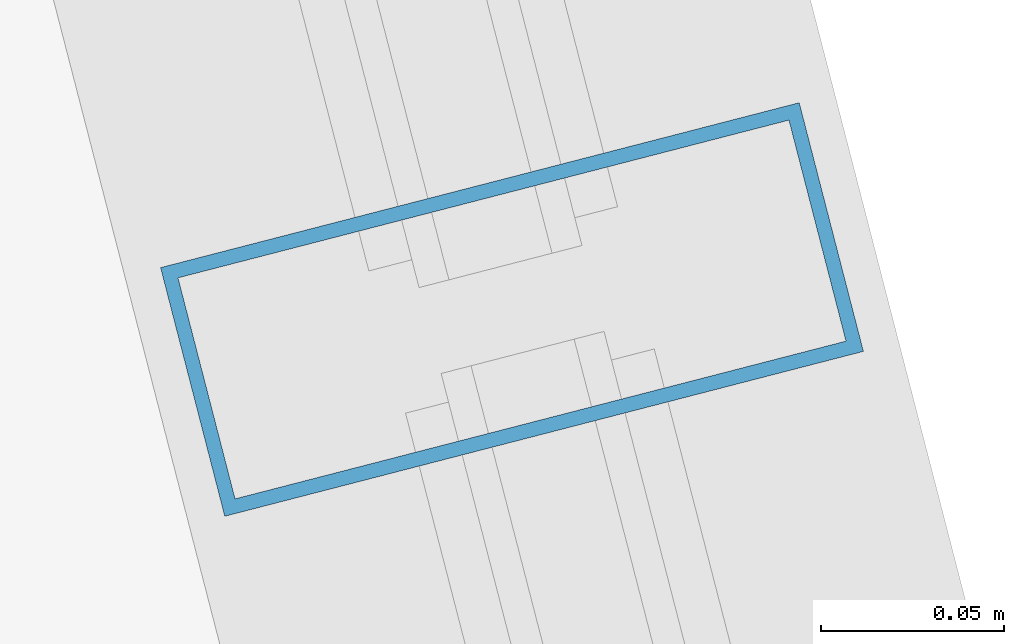
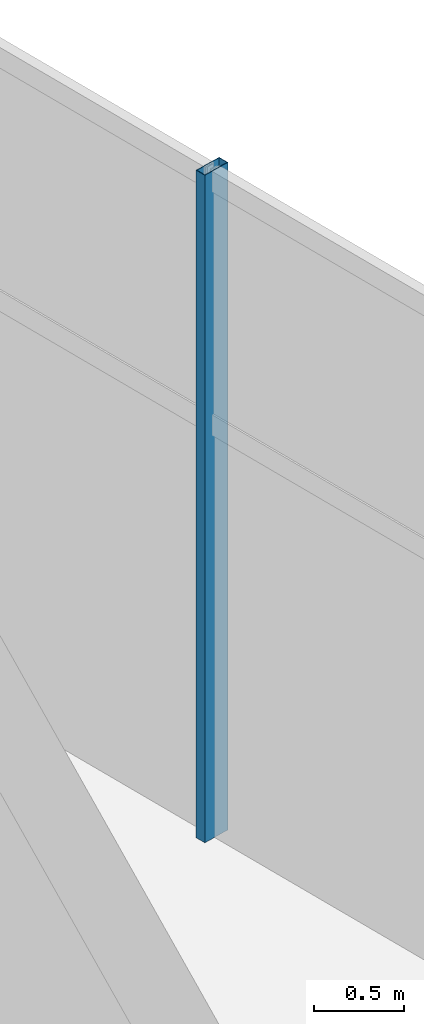
# One storey, part 79 of 186: 1 member, 1 element without a shape of its own.
"""IFC4 building model written with IfcOpenShell, lengths in metres."""

from ifc_helpers import new_model, si_unit, direction, frame, origin, origin_2d, place, context, subcontext, project, spatial, hollow_rectangle, extrude, material, layer, layer_set, material_profile, profile_set, type_object, element, aggregate, save


model = new_model("IFC4")

# Units and contexts
model_context = context("Model", 3, precision=1e-05, world=origin(), true_north=direction((0.0, 1.0)))
body_context = subcontext(model_context, "Body", "Model", "MODEL_VIEW")
ifc_project = project(units=[si_unit("LENGTHUNIT", "METRE"), si_unit("AREAUNIT", "SQUARE_METRE"), si_unit("VOLUMEUNIT", "CUBIC_METRE"), si_unit("PLANEANGLEUNIT", "RADIAN"), si_unit("MASSUNIT", "GRAM", prefix="KILO")], contexts=[model_context])

# Site, building, storey
site_placement = place(None, origin())
site = spatial("IfcSite", under=ifc_project, at=site_placement, CompositionType="ELEMENT")
building_placement = place(site_placement, origin())
building = spatial("IfcBuilding", under=site, at=building_placement, Name="Kazemori Nagisa Stadium", CompositionType="ELEMENT")
storey_placement = place(building_placement, frame((0.0, 0.0, 20.39990234375)))
storey = spatial("IfcBuildingStorey", under=building, at=storey_placement, Name="L04", CompositionType="ELEMENT", Elevation=20.39990234375)

# Curtain wall, member
ifc_material_1 = material(Name="Anodised aluminium 6063-T5", Category="aluminium")
ifc_layer = layer(ifc_material_1, 0.179931640625, Name="Anodised aluminium 6063-T5", Category="aluminium")
ifc_layer_set = layer_set([ifc_layer], Name="Anodised aluminium 6063-T5")
curtain_wall_type = type_object("IfcCurtainWallType", Name="CW_L04R3_98", PredefinedType="USERDEFINED", material=ifc_layer_set)
curtain_wall_placement = place(storey_placement, origin())
curtain_wall = element("IfcCurtainWall", 1, at=curtain_wall_placement, inside=storey, type_object=curtain_wall_type, Name="Unitised curtain wall CW-L04R3-98 L04", ObjectType="UNITISED CURTAIN WALL", PredefinedType="USERDEFINED")
ifc_material_2 = material(Name="Aluminium 6063-T5 anodised", Category="aluminium")
ifc_material_profile = material_profile(ifc_material_2, hollow_rectangle(XDim=0.070068359375, YDim=0.179931640625, WallThickness=0.00390625, at=origin_2d()), Name="ALU-MULL-70x180x4")
ifc_profile_set = profile_set([ifc_material_profile], Name="Aluminium 6063-T5 anodised")
member_type = type_object("IfcMemberType", Name="Mullion_M01", PredefinedType="MULLION", material=ifc_profile_set)
member_placement = place(storey_placement, frame((215.1943359375, 127.9306640625, 0.0), z_axis=(0.0, 0.0, 1.0), x_axis=(-0.249964642418, 0.968254965152, 0.0)))
member = element("IfcMember", 2, at=member_placement, type_object=member_type, Name="Curtain wall mullion CW-L04R3-98-M2", PredefinedType="MULLION", context=body_context, shape_type="SweptSolid", body=[
    extrude(hollow_rectangle(XDim=0.070068359375, YDim=0.179931640625, WallThickness=0.00390625, at=origin_2d()), origin(), (0.0, 0.0, 1.0), 4.530029296875),
])
aggregate(curtain_wall, [member])

save(model, "model.ifc")
